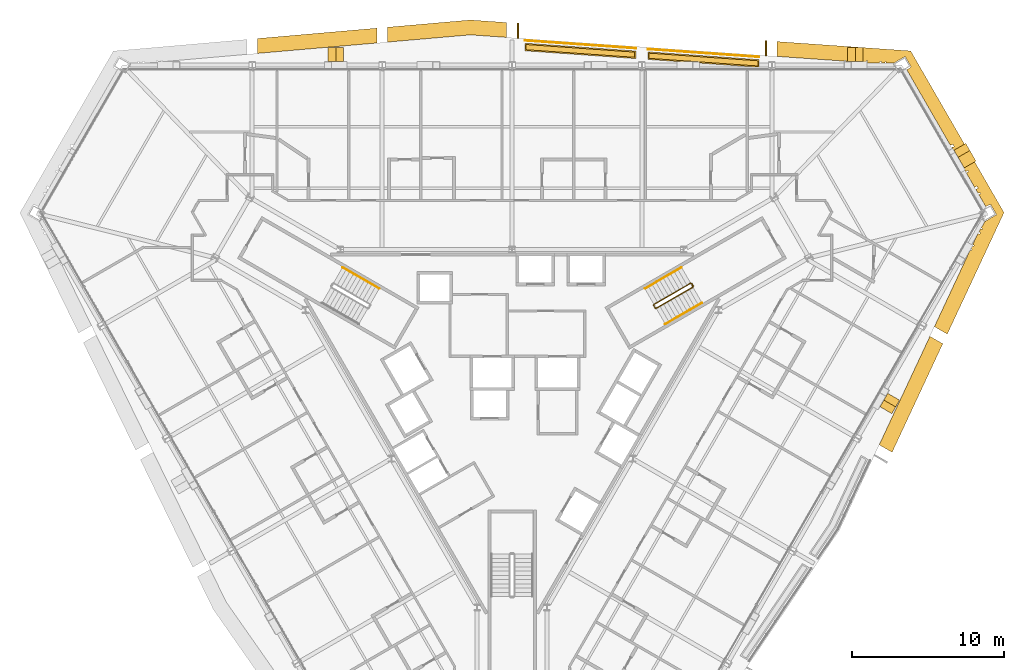
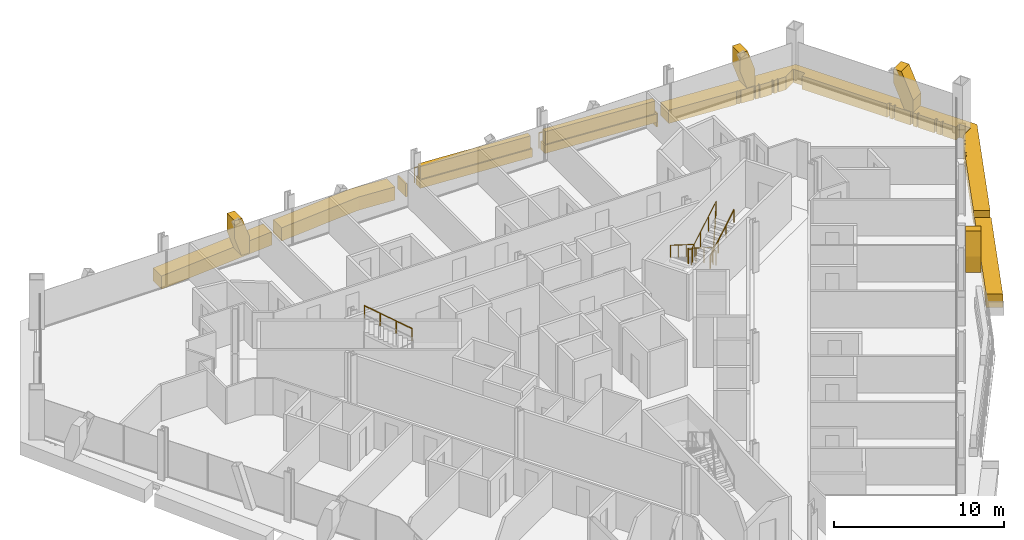
# One storey, part 20 of 20: 14 coverings, 6 railings.
"""IFC4 building model written with IfcOpenShell, lengths in metres."""

from ifc_helpers import new_model, si_unit, direction, frame, origin, origin_2d, place, context, subcontext, project, spatial, polyline, circle, outline, extrude, material, layer, layer_set, type_object, element, save


model = new_model("IFC4")

# Units and contexts
model_context = context("Model", 3, precision=1e-05, world=origin(), true_north=direction((0.0, 1.0)))
body_context = subcontext(model_context, "Body", "Model", "MODEL_VIEW")
ifc_project = project(units=[si_unit("LENGTHUNIT", "METRE"), si_unit("AREAUNIT", "SQUARE_METRE"), si_unit("VOLUMEUNIT", "CUBIC_METRE"), si_unit("PLANEANGLEUNIT", "RADIAN"), si_unit("MASSUNIT", "GRAM", prefix="KILO")], contexts=[model_context])

# Site, building, storey
site_placement = place(None, origin())
site = spatial("IfcSite", under=ifc_project, at=site_placement, CompositionType="ELEMENT")
building_placement = place(site_placement, origin())
building = spatial("IfcBuilding", under=site, at=building_placement, Name="Verrane Prism Tower", CompositionType="ELEMENT")
storey_placement = place(building_placement, frame((0.0, 0.0, 69.199951171875)))
storey = spatial("IfcBuildingStorey", under=building, at=storey_placement, Name="L15", CompositionType="ELEMENT", Elevation=69.199951171875)

# Coverings
ifc_material_1 = material(Name="Planting medium in stone kerb", Category="masonry")
covering_type_1 = type_object("IfcCoveringType", Name="Planter bed 600", PredefinedType="USERDEFINED", material=ifc_material_1)
covering_1_placement = place(storey_placement, origin())
element("IfcCovering", 1, at=covering_1_placement, inside=storey, type_object=covering_type_1, Name="Loggia planter N2 L15", ObjectType="PLANTER", PredefinedType="USERDEFINED", context=body_context, shape_type="SweptSolid", body=[
    extrude(outline(polyline([(16.2978515625, 21.732177734375), (8.97412109375, 22.246826171875), (8.97412109375, 21.746826171875), (16.2978515625, 21.232177734375), (16.2978515625, 21.732177734375)])), origin(), (0.0, 0.0, 1.0), 0.60009765625),
])
covering_2_placement = place(storey_placement, origin())
element("IfcCovering", 2, at=covering_2_placement, inside=storey, type_object=covering_type_1, Name="Loggia planter N3 L15", ObjectType="PLANTER", PredefinedType="USERDEFINED", context=body_context, shape_type="SweptSolid", body=[
    extrude(outline(polyline([(8.174072265625, 22.302978515625), (0.85009765625, 22.817626953125), (0.85009765625, 22.317626953125), (8.174072265625, 21.802978515625), (8.174072265625, 22.302978515625)])), origin(), (0.0, 0.0, 1.0), 0.60009765625),
])
ifc_material_2 = material(Name="Planted shrubs and grasses", Category="other")
covering_type_2 = type_object("IfcCoveringType", Name="Planting mass 1000", PredefinedType="USERDEFINED", material=ifc_material_2)
covering_3_placement = place(storey_placement, frame((0.0, 0.0, 0.60009765625)))
element("IfcCovering", 3, at=covering_3_placement, inside=storey, type_object=covering_type_2, Name="Loggia planting N2 L15", ObjectType="PLANTING", PredefinedType="USERDEFINED", context=body_context, shape_type="SweptSolid", body=[
    extrude(outline(polyline([(9.053955078125, 22.160888671875), (9.053955078125, 21.8212890625), (16.218017578125, 21.318115234375), (16.218017578125, 21.65771484375), (9.053955078125, 22.160888671875)])), origin(), (0.0, 0.0, 1.0), 0.89990234375),
])
covering_4_placement = place(storey_placement, frame((0.0, 0.0, 0.60009765625)))
element("IfcCovering", 4, at=covering_4_placement, inside=storey, type_object=covering_type_2, Name="Loggia planting N3 L15", ObjectType="PLANTING", PredefinedType="USERDEFINED", context=body_context, shape_type="SweptSolid", body=[
    extrude(outline(polyline([(0.929931640625, 22.731689453125), (0.929931640625, 22.39208984375), (8.093994140625, 21.888916015625), (8.093994140625, 22.228515625), (0.929931640625, 22.731689453125)])), origin(), (0.0, 0.0, 1.0), 0.89990234375),
])

# Railings
ifc_material_3 = material(Name="Steel A36 rail and posts, no infill", Category="steel")
railing_type_1 = type_object("IfcRailingType", Name="Stair guard 1100 steel rail and posts", PredefinedType="GUARDRAIL", material=ifc_material_3)
railing_1_placement = place(storey_placement, frame((11.78955078125, 6.97998046875, 0.16357421875)))
element("IfcRailing", 5, at=railing_1_placement, inside=storey, type_object=railing_type_1, Name="Stair 1 guard", PredefinedType="GUARDRAIL", context=body_context, shape_type="SweptSolid", body=[
    extrude(circle(Radius=0.02392578125, at=origin_2d()), frame((0.0, 0.0, 1.076171875), z_axis=(-0.747665513933, -0.431721881032, 0.504591415616), x_axis=(0.500049511043, -0.865996816683, 0.0)), (0.0, 0.0, 1.0), 3.2431640625),
    extrude(circle(Radius=0.02392578125, at=origin_2d()), frame((-2.4248046875, -1.400146484375, 2.71240234375), z_axis=(-0.259601060869, -0.965715946433, 0.0), x_axis=(0.965715946433, -0.259601060869, 0.0)), (0.0, 0.0, 1.0), 0.070556640625),
    extrude(circle(Radius=0.02392578125, at=origin_2d()), frame((-2.443115234375, -1.46826171875, 2.71240234375), z_axis=(0.499158860599, -0.866510491504, 0.0), x_axis=(0.866510491504, 0.499158860599, 0.0)), (0.0, 0.0, 1.0), 0.199951171875),
    extrude(circle(Radius=0.02392578125, at=origin_2d()), frame((-2.34326171875, -1.6416015625, 2.71240234375), z_axis=(0.383552647116, -0.102737316192, 0.917786691313), x_axis=(0.258736085224, 0.965948051503, 0.0)), (0.0, 0.0, 1.0), 0.17822265625),
    extrude(circle(Radius=0.02392578125, at=origin_2d()), frame((-2.27490234375, -1.659912109375, 2.8759765625), z_axis=(0.747665513933, 0.431721881032, 0.504591415616), x_axis=(-0.500049511043, 0.865996816683, 0.0)), (0.0, 0.0, 1.0), 3.2431640625),
    extrude(circle(Radius=0.02392578125, at=origin_2d()), frame((0.14990234375, -0.259765625, 4.5126953125), z_axis=(-0.022593669287, 0.066901613547, -0.997503734436), x_axis=(-0.947430582667, -0.3199613899, 0.0)), (0.0, 0.0, 1.0), 3.609130859375),
    extrude(circle(Radius=0.02392578125, at=origin_2d()), frame((0.068359375, -0.018310546875, 0.91259765625), z_axis=(0.499158860599, -0.866510491504, 0.0), x_axis=(0.866510491504, 0.499158860599, 0.0)), (0.0, 0.0, 1.0), 0.199951171875),
    extrude(circle(Radius=0.02099609375, at=origin_2d()), origin(), (0.0, 0.0, 1.0), 1.052001953125),
    extrude(circle(Radius=0.02099609375, at=origin_2d()), frame((-0.808349609375, -0.466796875, 0.54541015625)), (0.0, 0.0, 1.0), 1.052001953125),
    extrude(circle(Radius=0.02099609375, at=origin_2d()), frame((-1.616455078125, -0.933349609375, 1.091064453125)), (0.0, 0.0, 1.0), 1.052001953125),
    extrude(circle(Radius=0.02099609375, at=origin_2d()), frame((-2.4248046875, -1.400146484375, 1.636474609375)), (0.0, 0.0, 1.0), 1.052001953125),
    extrude(circle(Radius=0.02099609375, at=origin_2d()), frame((-2.443115234375, -1.46826171875, 1.636474609375)), (0.0, 0.0, 1.0), 1.052001953125),
    extrude(circle(Radius=0.02099609375, at=origin_2d()), frame((-2.34326171875, -1.6416015625, 1.636474609375)), (0.0, 0.0, 1.0), 1.052001953125),
    extrude(circle(Radius=0.02099609375, at=origin_2d()), frame((-2.27490234375, -1.659912109375, 1.800048828125)), (0.0, 0.0, 1.0), 1.052001953125),
    extrude(circle(Radius=0.02099609375, at=origin_2d()), frame((-1.466552734375, -1.193115234375, 2.345458984375)), (0.0, 0.0, 1.0), 1.052001953125),
    extrude(circle(Radius=0.02099609375, at=origin_2d()), frame((-0.658447265625, -0.7265625, 2.89111328125)), (0.0, 0.0, 1.0), 1.052001953125),
    extrude(circle(Radius=0.02099609375, at=origin_2d()), frame((0.14990234375, -0.259765625, 3.4365234375)), (0.0, 0.0, 1.0), 1.052001953125),
    extrude(circle(Radius=0.02099609375, at=origin_2d()), frame((0.12939453125, -0.199462890625, 2.53662109375)), (0.0, 0.0, 1.0), 1.052001953125),
    extrude(circle(Radius=0.02099609375, at=origin_2d()), frame((0.109130859375, -0.13916015625, 1.636474609375)), (0.0, 0.0, 1.0), 1.052001953125),
    extrude(circle(Radius=0.02099609375, at=origin_2d()), frame((0.0888671875, -0.07861328125, 0.736328125)), (0.0, 0.0, 1.0), 1.052001953125),
    extrude(circle(Radius=0.02099609375, at=origin_2d()), frame((0.068359375, -0.018310546875, -0.16357421875)), (0.0, 0.0, 1.0), 1.052001953125),
    extrude(circle(Radius=0.02099609375, at=origin_2d()), frame((0.168212890625, -0.191650390625, -0.16357421875)), (0.0, 0.0, 1.0), 1.052001953125),
])
ifc_material_4 = material(Name="Steel A36 tube", Category="steel")
railing_type_2 = type_object("IfcRailingType", Name="Stair handrail 900 steel tube", PredefinedType="HANDRAIL", material=ifc_material_4)
railing_2_placement = place(storey_placement, frame((11.189453125, 8.01904296875, 0.16357421875)))
element("IfcRailing", 6, at=railing_2_placement, inside=storey, type_object=railing_type_2, Name="Stair 1 handrail", PredefinedType="HANDRAIL", context=body_context, shape_type="SweptSolid", body=[
    extrude(circle(Radius=0.02392578125, at=origin_2d()), frame((0.0, 0.0, 0.8759765625), z_axis=(-0.747689811644, -0.431660630283, 0.504607813879), x_axis=(0.49998411664, -0.866034573852, 0.0)), (0.0, 0.0, 1.0), 3.2431640625),
    extrude(circle(Radius=0.02099609375, at=origin_2d()), origin(), (0.0, 0.0, 1.0), 0.851806640625),
    extrude(circle(Radius=0.02099609375, at=origin_2d()), frame((-0.808349609375, -0.466552734375, 0.54541015625)), (0.0, 0.0, 1.0), 0.851806640625),
    extrude(circle(Radius=0.02099609375, at=origin_2d()), frame((-1.616455078125, -0.933349609375, 1.091064453125)), (0.0, 0.0, 1.0), 0.851806640625),
    extrude(circle(Radius=0.02099609375, at=origin_2d()), frame((-2.4248046875, -1.39990234375, 1.636474609375)), (0.0, 0.0, 1.0), 0.851806640625),
])
railing_3_placement = place(storey_placement, frame((10.11474609375, 4.28076171875, 1.963623046875)))
element("IfcRailing", 7, at=railing_3_placement, inside=storey, type_object=railing_type_2, Name="Stair 1 handrail", PredefinedType="HANDRAIL", context=body_context, shape_type="SweptSolid", body=[
    extrude(circle(Radius=0.02392578125, at=origin_2d()), frame((0.0, 0.0, 0.8759765625), z_axis=(0.747665513933, 0.431721881032, 0.504591415616), x_axis=(-0.500049511043, 0.865996816683, 0.0)), (0.0, 0.0, 1.0), 3.2431640625),
    extrude(circle(Radius=0.02099609375, at=origin_2d()), origin(), (0.0, 0.0, 1.0), 0.851806640625),
    extrude(circle(Radius=0.02099609375, at=origin_2d()), frame((0.808349609375, 0.466796875, 0.54541015625)), (0.0, 0.0, 1.0), 0.851806640625),
    extrude(circle(Radius=0.02099609375, at=origin_2d()), frame((1.616455078125, 0.933349609375, 1.091064453125)), (0.0, 0.0, 1.0), 0.851806640625),
    extrude(circle(Radius=0.02099609375, at=origin_2d()), frame((2.4248046875, 1.400146484375, 1.636474609375)), (0.0, 0.0, 1.0), 0.851806640625),
])
railing_4_placement = place(storey_placement, frame((-8.7646484375, 6.619140625, 1.963623046875)))
element("IfcRailing", 8, at=railing_4_placement, inside=storey, type_object=railing_type_2, Name="Stair 2 handrail", PredefinedType="HANDRAIL", context=body_context, shape_type="SweptSolid", body=[
    extrude(circle(Radius=0.02392578125, at=origin_2d()), frame((0.0, 0.0, 0.8759765625), z_axis=(-0.747689811644, 0.431660630283, 0.504607813879), x_axis=(-0.49998411664, -0.866034573852, 0.0)), (0.0, 0.0, 1.0), 3.2431640625),
    extrude(circle(Radius=0.02099609375, at=origin_2d()), origin(), (0.0, 0.0, 1.0), 0.851806640625),
    extrude(circle(Radius=0.02099609375, at=origin_2d()), frame((-0.808349609375, 0.466552734375, 0.54541015625)), (0.0, 0.0, 1.0), 0.851806640625),
    extrude(circle(Radius=0.02099609375, at=origin_2d()), frame((-1.616455078125, 0.933349609375, 1.091064453125)), (0.0, 0.0, 1.0), 0.851806640625),
    extrude(circle(Radius=0.02099609375, at=origin_2d()), frame((-2.4248046875, 1.39990234375, 1.636474609375)), (0.0, 0.0, 1.0), 0.851806640625),
])

# Coverings
ifc_material_5 = material(Name="Warm limestone cladding", Category="masonry")
ifc_layer_1 = layer(ifc_material_5, 0.89990234375)
ifc_layer_set_1 = layer_set([ifc_layer_1], Name="Stone brace fin 900")
covering_type_3 = type_object("IfcCoveringType", Name="Stone brace fin 900", PredefinedType="CLADDING", material=ifc_layer_set_1)
covering_5_placement = place(storey_placement, frame((23.1708984375, 22.073974609375, 0.0), z_axis=(0.0, 0.0, 1.0), x_axis=(-1.0, 0.0, 0.0)))
element("IfcCovering", 9, at=covering_5_placement, inside=storey, type_object=covering_type_3, Name="Stone brace fin N1 L15", PredefinedType="CLADDING", context=body_context, shape_type="SweptSolid", body=[
    extrude(outline(polyline([(1.02294921875, 2.650146484375), (0.50830078125, 2.650146484375), (0.0, 1.155029296875), (0.0, 0.0), (0.557861328125, 0.0), (1.02294921875, 1.367919921875), (1.02294921875, 2.650146484375)])), frame((0.0, 0.449951171875, 0.0), z_axis=(0.0, -1.0, 0.0), x_axis=(1.0, 0.0, 0.0)), (0.0, 0.0, 1.0), 0.89990234375),
])
covering_6_placement = place(storey_placement, frame((-11.122314453125, 22.073974609375, 0.0), z_axis=(0.0, 0.0, 1.0), x_axis=(-1.0, 0.0, 0.0)))
element("IfcCovering", 10, at=covering_6_placement, inside=storey, type_object=covering_type_3, Name="Stone brace fin N5 L15", PredefinedType="CLADDING", context=body_context, shape_type="SweptSolid", body=[
    extrude(outline(polyline([(1.024169921875, 2.650146484375), (0.509521484375, 2.650146484375), (0.0, 1.153564453125), (0.0, 0.0), (0.55810546875, 0.0), (1.024169921875, 1.369384765625), (1.024169921875, 2.650146484375)])), frame((0.0, 0.449951171875, 0.0), z_axis=(0.0, -1.0, 0.0), x_axis=(1.0, 0.0, 0.0)), (0.0, 0.0, 1.0), 0.89990234375),
])
covering_7_placement = place(storey_placement, frame((24.67578125, -1.40185546875, 0.0), z_axis=(0.0, 0.0, 1.0), x_axis=(0.500086965421, 0.865975188453, 0.0)))
element("IfcCovering", 11, at=covering_7_placement, inside=storey, type_object=covering_type_3, Name="Stone brace fin SE5 L15", PredefinedType="CLADDING", context=body_context, shape_type="SweptSolid", body=[
    extrude(outline(polyline([(1.024169921875, 2.650146484375), (0.509521484375, 2.650146484375), (0.0, 1.15380859375), (0.0, 0.0), (0.55810546875, 0.0), (1.024169921875, 1.369384765625), (1.024169921875, 2.650146484375)])), frame((0.0, 0.449951171875, 0.0), z_axis=(0.0, -1.0, 0.0), x_axis=(1.0, 0.0, 0.0)), (0.0, 0.0, 1.0), 0.89990234375),
])
covering_8_placement = place(storey_placement, frame((30.232421875, 14.814208984375, 0.0), z_axis=(0.0, 0.0, 1.0), x_axis=(-0.500313864922, 0.865844117938, 0.0)))
element("IfcCovering", 12, at=covering_8_placement, inside=storey, type_object=covering_type_3, Name="Stone brace fin NE1 L15", PredefinedType="CLADDING", context=body_context, shape_type="SweptSolid", body=[
    extrude(outline(polyline([(1.345947265625, 2.650146484375), (0.804443359375, 2.650146484375), (0.0, 0.855224609375), (0.0, 0.0), (0.60302734375, 0.0), (1.345947265625, 1.657958984375), (1.345947265625, 2.650146484375)])), frame((0.0, 0.449951171875, 0.0), z_axis=(0.0, -1.0, 0.0), x_axis=(1.0, 0.0, 0.0)), (0.0, 0.0, 1.0), 0.89990234375),
])
ifc_material_6 = material(Name="Warm limestone cladding", Category="masonry")
ifc_layer_2 = layer(ifc_material_6, 0.449951171875)
ifc_layer_set_2 = layer_set([ifc_layer_2], Name="Stone spandrel band 450")
covering_type_4 = type_object("IfcCoveringType", Name="Stone spandrel band 450", PredefinedType="CLADDING", material=ifc_layer_set_2)
covering_9_placement = place(storey_placement, frame((0.0, 0.0, -0.949951171875)))
element("IfcCovering", 13, at=covering_9_placement, inside=storey, type_object=covering_type_4, Name="Stone spandrel band L15 part 2", PredefinedType="CLADDING", context=body_context, shape_type="SweptSolid", body=[
    extrude(outline(polyline([(17.497802734375, 21.94775390625), (21.9150390625, 21.637451171875), (21.9287109375, 21.68798828125), (22.0341796875, 21.65966796875), (22.02587890625, 21.629638671875), (22.147705078125, 21.62109375), (22.147705078125, 21.669921875), (22.22119140625, 21.669921875), (22.22119140625, 21.615966796875), (23.05419921875, 21.557373046875), (23.05419921875, 21.669921875), (23.1708984375, 21.669921875), (23.1708984375, 21.54931640625), (23.378173828125, 21.53466796875), (23.385009765625, 21.669677734375), (23.456787109375, 21.666015625), (23.44970703125, 21.529541015625), (23.823974609375, 21.50341796875), (24.264892578125, 21.50341796875), (24.27099609375, 21.62451171875), (24.385009765625, 21.618896484375), (24.379150390625, 21.50341796875), (24.6083984375, 21.50341796875), (24.6376953125, 21.608154296875), (24.70263671875, 21.590087890625), (24.678466796875, 21.50341796875), (25.19091796875, 21.50341796875), (25.94580078125, 21.939208984375), (26.32568359375, 21.281005859375), (26.306640625, 21.27001953125), (26.259521484375, 21.186767578125), (26.05126953125, 21.06640625), (28.928466796875, 16.082763671875), (29.1181640625, 16.142822265625), (29.166748046875, 15.98974609375), (29.0107421875, 15.940185546875), (29.130859375, 15.732177734375), (29.275390625, 15.815673828125), (29.322021484375, 15.73486328125), (29.177490234375, 15.651611328125), (29.7265625, 14.700439453125), (29.87109375, 14.7841796875), (29.948486328125, 14.650146484375), (29.8037109375, 14.566650390625), (29.9375, 14.3349609375), (30.08251953125, 14.418701171875), (30.12890625, 14.337890625), (29.984130859375, 14.254150390625), (30.533203125, 13.30322265625), (30.67822265625, 13.386962890625), (30.755615234375, 13.253173828125), (30.610595703125, 13.169189453125), (30.757080078125, 12.915283203125), (30.91455078125, 12.9521484375), (30.934326171875, 12.867431640625), (30.802490234375, 12.836669921875), (31.27001953125, 12.027099609375), (31.4794921875, 12.148193359375), (31.57666015625, 12.148193359375), (31.595703125, 12.1591796875), (31.9755859375, 11.5009765625), (31.217041015625, 11.06298828125), (30.96240234375, 10.62158203125), (31.05029296875, 10.599365234375), (31.03369140625, 10.534423828125), (30.927490234375, 10.561279296875), (30.812744140625, 10.362548828125), (30.91650390625, 10.309326171875), (30.864501953125, 10.2080078125), (30.755615234375, 10.263671875), (30.71728515625, 10.197265625), (30.40478515625, 9.527587890625), (30.4931640625, 9.482421875), (30.460693359375, 9.41845703125), (30.374267578125, 9.462646484375), (30.285400390625, 9.272216796875), (30.353515625, 9.232666015625), (30.29541015625, 9.1318359375), (30.236083984375, 9.166259765625), (27.875732421875, 4.110595703125), (28.72607421875, 3.619873046875), (32.4697265625, 11.638671875), (26.30908203125, 22.309326171875), (17.497802734375, 22.92822265625), (17.497802734375, 21.94775390625)])), origin(), (0.0, 0.0, 1.0), 0.949951171875),
])
covering_10_placement = place(storey_placement, frame((0.0, 0.0, -0.949951171875)))
element("IfcCovering", 14, at=covering_10_placement, inside=storey, type_object=covering_type_4, Name="Stone spandrel band L15 part 9", PredefinedType="CLADDING", context=body_context, shape_type="SweptSolid", body=[
    extrude(outline(polyline([(27.57861328125, 3.47412109375), (24.235107421875, -3.6875), (25.08544921875, -4.178466796875), (28.4287109375, 2.983154296875), (27.57861328125, 3.47412109375)])), origin(), (0.0, 0.0, 1.0), 0.949951171875),
])
covering_11_placement = place(storey_placement, frame((0.0, 0.0, -0.949951171875)))
element("IfcCovering", 15, at=covering_11_placement, inside=storey, type_object=covering_type_4, Name="Stone spandrel band L15 part 10", PredefinedType="CLADDING", context=body_context, shape_type="SweptSolid", body=[
    extrude(outline(polyline([(-8.22412109375, 22.89306640625), (-2.74365234375, 23.3701171875), (-0.35009765625, 23.201904296875), (-0.35009765625, 24.182373046875), (-2.751953125, 24.35107421875), (-8.22412109375, 23.874755859375), (-8.22412109375, 22.89306640625)])), origin(), (0.0, 0.0, 1.0), 0.949951171875),
])
covering_12_placement = place(storey_placement, frame((0.0, 0.0, -0.949951171875)))
element("IfcCovering", 16, at=covering_12_placement, inside=storey, type_object=covering_type_4, Name="Stone spandrel band L15 part 11", PredefinedType="CLADDING", context=body_context, shape_type="SweptSolid", body=[
    extrude(outline(polyline([(-8.924072265625, 23.81396484375), (-16.7978515625, 23.12841796875), (-16.7978515625, 22.146728515625), (-8.924072265625, 22.83203125), (-8.924072265625, 23.81396484375)])), origin(), (0.0, 0.0, 1.0), 0.949951171875),
])
covering_13_placement = place(storey_placement, frame((0.0, 0.0, -0.949951171875)))
element("IfcCovering", 17, at=covering_13_placement, inside=storey, type_object=covering_type_4, Name="Stone spandrel band L15 part 14", PredefinedType="CLADDING", context=body_context, shape_type="SweptSolid", body=[
    extrude(outline(polyline([(16.7978515625, 22.9775390625), (16.697998046875, 22.984619140625), (16.697998046875, 22.00390625), (16.7978515625, 21.9970703125), (16.7978515625, 22.9775390625)])), origin(), (0.0, 0.0, 1.0), 0.949951171875),
])
covering_14_placement = place(storey_placement, frame((0.0, 0.0, -0.949951171875)))
element("IfcCovering", 18, at=covering_14_placement, inside=storey, type_object=covering_type_4, Name="Stone spandrel band L15 part 15", PredefinedType="CLADDING", context=body_context, shape_type="SweptSolid", body=[
    extrude(outline(polyline([(0.449951171875, 23.1455078125), (0.449951171875, 24.126220703125), (0.35009765625, 24.133056640625), (0.35009765625, 23.152587890625), (0.449951171875, 23.1455078125)])), origin(), (0.0, 0.0, 1.0), 0.949951171875),
])

# Railings
ifc_material_7 = material(Name="Stainless steel and laminated glass", Category="steel")
railing_type_3 = type_object("IfcRailingType", Name="Terrace guard 1100", PredefinedType="GUARDRAIL", material=ifc_material_7)
railing_5_placement = place(storey_placement, frame((16.2978515625, 21.912109375, 0.0)))
element("IfcRailing", 19, at=railing_5_placement, inside=storey, type_object=railing_type_3, Name="Loggia guard N2 L15", PredefinedType="GUARDRAIL", context=body_context, shape_type="SweptSolid", body=[
    extrude(circle(Radius=0.02392578125, at=origin_2d()), frame((0.0, 0.0, 1.076171875), z_axis=(-0.997540075292, 0.07009848919, 0.0), x_axis=(-0.07009848919, -0.997540075292, 0.0)), (0.0, 0.0, 1.0), 7.341796875),
    extrude(circle(Radius=0.02099609375, at=origin_2d()), origin(), (0.0, 0.0, 1.0), 1.052001953125),
    extrude(circle(Radius=0.02099609375, at=origin_2d()), frame((-1.046142578125, 0.073486328125, 0.0)), (0.0, 0.0, 1.0), 1.052001953125),
    extrude(circle(Radius=0.02099609375, at=origin_2d()), frame((-2.092529296875, 0.14697265625, 0.0)), (0.0, 0.0, 1.0), 1.052001953125),
    extrude(circle(Radius=0.02099609375, at=origin_2d()), frame((-3.138671875, 0.220458984375, 0.0)), (0.0, 0.0, 1.0), 1.052001953125),
    extrude(circle(Radius=0.02099609375, at=origin_2d()), frame((-4.18505859375, 0.294189453125, 0.0)), (0.0, 0.0, 1.0), 1.052001953125),
    extrude(circle(Radius=0.02099609375, at=origin_2d()), frame((-5.231201171875, 0.36767578125, 0.0)), (0.0, 0.0, 1.0), 1.052001953125),
    extrude(circle(Radius=0.02099609375, at=origin_2d()), frame((-6.277587890625, 0.441162109375, 0.0)), (0.0, 0.0, 1.0), 1.052001953125),
    extrude(circle(Radius=0.02099609375, at=origin_2d()), frame((-7.32373046875, 0.5146484375, 0.0)), (0.0, 0.0, 1.0), 1.052001953125),
])
railing_6_placement = place(storey_placement, frame((8.174072265625, 22.48291015625, 0.0)))
element("IfcRailing", 20, at=railing_6_placement, inside=storey, type_object=railing_type_3, Name="Loggia guard N3 L15", PredefinedType="GUARDRAIL", context=body_context, shape_type="SweptSolid", body=[
    extrude(circle(Radius=0.02392578125, at=origin_2d()), frame((0.0, 0.0, 1.076171875), z_axis=(-0.997540238685, 0.070096163977, 0.0), x_axis=(-0.070096163977, -0.997540238685, 0.0)), (0.0, 0.0, 1.0), 7.342041015625),
    extrude(circle(Radius=0.02099609375, at=origin_2d()), origin(), (0.0, 0.0, 1.0), 1.052001953125),
    extrude(circle(Radius=0.02099609375, at=origin_2d()), frame((-1.04638671875, 0.073486328125, 0.0)), (0.0, 0.0, 1.0), 1.052001953125),
    extrude(circle(Radius=0.02099609375, at=origin_2d()), frame((-2.092529296875, 0.14697265625, 0.0)), (0.0, 0.0, 1.0), 1.052001953125),
    extrude(circle(Radius=0.02099609375, at=origin_2d()), frame((-3.138916015625, 0.220458984375, 0.0)), (0.0, 0.0, 1.0), 1.052001953125),
    extrude(circle(Radius=0.02099609375, at=origin_2d()), frame((-4.18505859375, 0.294189453125, 0.0)), (0.0, 0.0, 1.0), 1.052001953125),
    extrude(circle(Radius=0.02099609375, at=origin_2d()), frame((-5.2314453125, 0.36767578125, 0.0)), (0.0, 0.0, 1.0), 1.052001953125),
    extrude(circle(Radius=0.02099609375, at=origin_2d()), frame((-6.277587890625, 0.441162109375, 0.0)), (0.0, 0.0, 1.0), 1.052001953125),
    extrude(circle(Radius=0.02099609375, at=origin_2d()), frame((-7.323974609375, 0.5146484375, 0.0)), (0.0, 0.0, 1.0), 1.052001953125),
])

save(model, "model.ifc")
